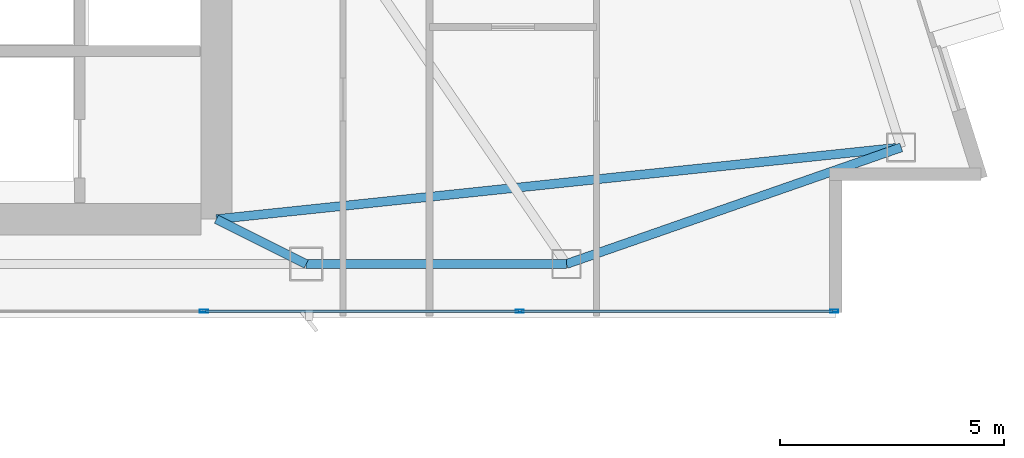
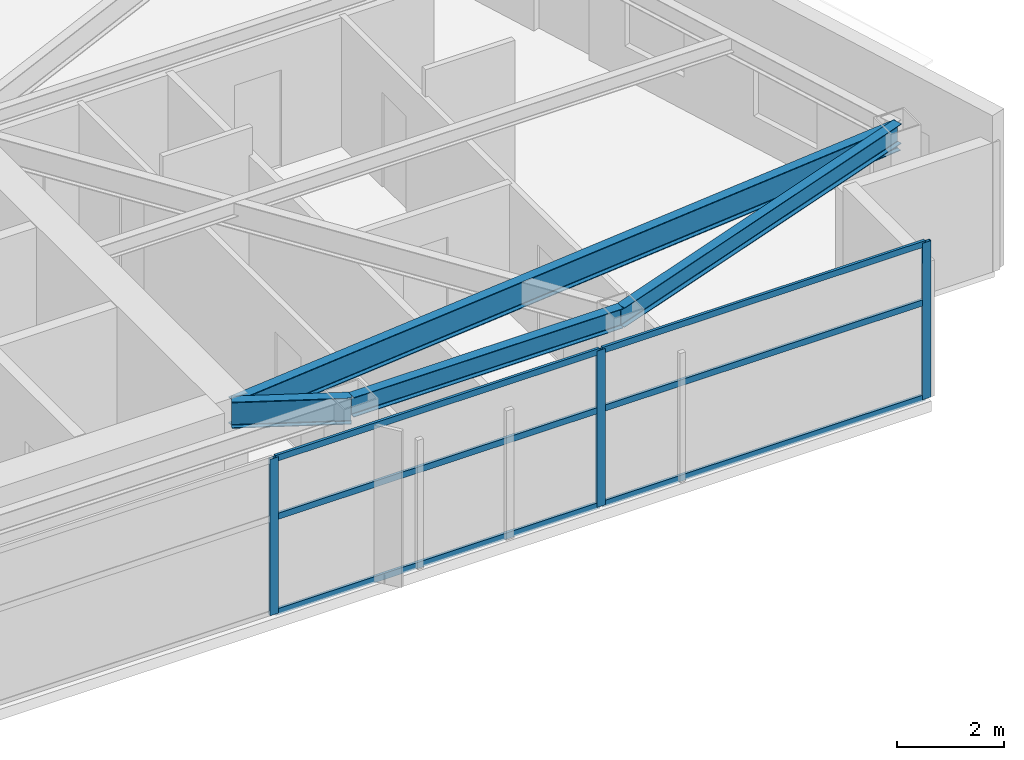
# One storey, part 13 of 27: 9 members, 4 beams, 1 element without a shape of its own.
"""IFC4 building model written with IfcOpenShell, lengths in metres."""

from ifc_helpers import new_model, si_unit, direction, frame, origin, origin_2d, place, context, subcontext, project, spatial, hollow_rectangle, i_section, extrude, material, layer, layer_set, material_profile, profile_set, type_object, element, aggregate, save


model = new_model("IFC4")

# Units and contexts
model_context = context("Model", 3, precision=1e-05, world=origin(), true_north=direction((0.0, 1.0)))
body_context = subcontext(model_context, "Body", "Model", "MODEL_VIEW")
ifc_project = project(units=[si_unit("LENGTHUNIT", "METRE"), si_unit("AREAUNIT", "SQUARE_METRE"), si_unit("VOLUMEUNIT", "CUBIC_METRE"), si_unit("PLANEANGLEUNIT", "RADIAN"), si_unit("MASSUNIT", "GRAM", prefix="KILO")], contexts=[model_context])

# Site, building, storey
site_placement = place(None, origin())
site = spatial("IfcSite", under=ifc_project, at=site_placement, CompositionType="ELEMENT")
building_placement = place(site_placement, origin())
building = spatial("IfcBuilding", under=site, at=building_placement, Name="Calvorn Quay Hotel", CompositionType="ELEMENT")
storey_placement = place(building_placement, frame((0.0, 0.0, 226.89990234375)))
storey = spatial("IfcBuildingStorey", under=building, at=storey_placement, Name="L56", CompositionType="ELEMENT", Elevation=226.89990234375)

# Beams
ifc_material_1 = material(Name="Steel Q355B", Category="steel")
ifc_material_profile_1 = material_profile(ifc_material_1, i_section(OverallWidth=0.199951171875, OverallDepth=0.60009765625, WebThickness=0.010986328125, FlangeThickness=0.01708984375, FilletRadius=0.01806640625, at=origin_2d()), Name="HN600x200x11x17")
ifc_profile_set_1 = profile_set([ifc_material_profile_1], Name="Steel Q355B")
beam_type_1 = type_object("IfcBeamType", Name="BM-GIRD-TYP", PredefinedType="BEAM", material=ifc_profile_set_1)
beam_1_placement = place(storey_placement, frame((34.39990234375, 3.60009765625, 3.239990234375), z_axis=(-0.894427191, 0.4472135955, 0.0), x_axis=(-0.4472135955, -0.894427191, 0.0)))
element("IfcBeam", 1, at=beam_1_placement, inside=storey, type_object=beam_type_1, Name="Beam BG-L56-S3", PredefinedType="BEAM", context=body_context, shape_type="SweptSolid", body=[
    extrude(i_section(OverallWidth=0.199951171875, OverallDepth=0.60009765625, WebThickness=0.010986328125, FlangeThickness=0.01708984375, FilletRadius=0.01806640625, at=origin_2d()), origin(), (0.0, 0.0, 1.0), 2.236083984375),
])
beam_2_placement = place(storey_placement, frame((32.39990234375, 4.60009765625, 3.239990234375), z_axis=(0.99454991229, 0.10426155554, 0.0), x_axis=(-0.10426155554, 0.99454991229, 0.0)))
element("IfcBeam", 2, at=beam_2_placement, inside=storey, type_object=beam_type_1, Name="Beam BG-L56-E1", PredefinedType="BEAM", context=body_context, shape_type="SweptSolid", body=[
    extrude(i_section(OverallWidth=0.199951171875, OverallDepth=0.60009765625, WebThickness=0.010986328125, FlangeThickness=0.01708984375, FilletRadius=0.01806640625, at=origin_2d()), origin(), (0.0, 0.0, 1.0), 15.3447265625),
])
ifc_material_2 = material(Name="Steel Q355B", Category="steel")
ifc_material_profile_2 = material_profile(ifc_material_2, i_section(OverallWidth=0.199951171875, OverallDepth=0.449951171875, WebThickness=0.009033203125, FlangeThickness=0.013916015625, FilletRadius=0.01611328125, at=origin_2d()), Name="HN450x200x9x14")
ifc_profile_set_2 = profile_set([ifc_material_profile_2], Name="Steel Q355B")
beam_type_2 = type_object("IfcBeamType", Name="BM-SPANDREL-Z3", PredefinedType="SPANDREL", material=ifc_profile_set_2)
beam_3_placement = place(storey_placement, frame((34.39990234375, 3.60009765625, 3.315185546875), z_axis=(1.0, 0.0, 0.0), x_axis=(0.0, 1.0, 0.0)))
element("IfcBeam", 3, at=beam_3_placement, inside=storey, type_object=beam_type_2, Name="Beam BSP-L56-S4", PredefinedType="SPANDREL", context=body_context, shape_type="SweptSolid", body=[
    extrude(i_section(OverallWidth=0.199951171875, OverallDepth=0.449951171875, WebThickness=0.009033203125, FlangeThickness=0.013916015625, FilletRadius=0.01611328125, at=origin_2d()), origin(), (0.0, 0.0, 1.0), 5.800048828125),
])
beam_4_placement = place(storey_placement, frame((40.199951171875, 3.60009765625, 3.315185546875), z_axis=(0.944310305586, 0.329056297257, 0.0), x_axis=(-0.329056297257, 0.944310305586, 0.0)))
element("IfcBeam", 4, at=beam_4_placement, inside=storey, type_object=beam_type_2, Name="Beam BSP-L56-S5", PredefinedType="SPANDREL", context=body_context, shape_type="SweptSolid", body=[
    extrude(i_section(OverallWidth=0.199951171875, OverallDepth=0.449951171875, WebThickness=0.009033203125, FlangeThickness=0.013916015625, FilletRadius=0.01611328125, at=origin_2d()), origin(), (0.0, 0.0, 1.0), 7.90087890625),
])

# Curtain wall, members
ifc_material_3 = material(Name="Champagne Bronze Anodised Aluminium and Low-E Glass", Category="aluminium")
ifc_layer = layer(ifc_material_3, 0.219970703125)
ifc_layer_set = layer_set([ifc_layer], Name="CW-SYS-Z3")
curtain_wall_type = type_object("IfcCurtainWallType", Name="CW-SYS-Z3", PredefinedType="NOTDEFINED", material=ifc_layer_set)
curtain_wall_placement = place(storey_placement, origin())
curtain_wall = element("IfcCurtainWall", 5, at=curtain_wall_placement, inside=storey, type_object=curtain_wall_type, Name="Tower South Waterfront Curtain Wall (L56)", PredefinedType="NOTDEFINED")
ifc_material_4 = material(Name="Champagne Bronze Anodised Aluminium 6063-T6", Category="aluminium")
ifc_material_profile_3 = material_profile(ifc_material_4, hollow_rectangle(XDim=0.068115234375, YDim=0.18505859375, WallThickness=0.00390625, at=origin_2d()), Name="ALU-M185x68x4")
ifc_profile_set_3 = profile_set([ifc_material_profile_3], Name="Champagne Bronze Anodised Aluminium 6063-T6")
member_type_1 = type_object("IfcMemberType", Name="CW-SYS-Z3-MUL", PredefinedType="MULLION", material=ifc_profile_set_3)
member_1_placement = place(storey_placement, frame((32.1201171875, 2.550048828125, 0.0), z_axis=(0.0, 0.0, 1.0), x_axis=(0.0, 1.0, 0.0)))
member_1 = element("IfcMember", 6, at=member_1_placement, type_object=member_type_1, Name="CW-L56-S mullion 4", PredefinedType="MULLION", context=body_context, shape_type="SweptSolid", body=[
    extrude(hollow_rectangle(XDim=0.068115234375, YDim=0.18505859375, WallThickness=0.00390625, at=origin_2d()), origin(), (0.0, 0.0, 1.0), 3.56005859375),
])
member_2_placement = place(storey_placement, frame((39.159912109375, 2.550048828125, 0.0), z_axis=(0.0, 0.0, 1.0), x_axis=(0.0, 1.0, 0.0)))
member_2 = element("IfcMember", 7, at=member_2_placement, type_object=member_type_1, Name="CW-L56-S mullion 5", PredefinedType="MULLION", context=body_context, shape_type="SweptSolid", body=[
    extrude(hollow_rectangle(XDim=0.068115234375, YDim=0.18505859375, WallThickness=0.00390625, at=origin_2d()), origin(), (0.0, 0.0, 1.0), 3.56005859375),
])
member_3_placement = place(storey_placement, frame((46.169921875, 2.550048828125, 0.0), z_axis=(0.0, 0.0, 1.0), x_axis=(0.0, 1.0, 0.0)))
member_3 = element("IfcMember", 8, at=member_3_placement, type_object=member_type_1, Name="CW-L56-S mullion 6", PredefinedType="MULLION", context=body_context, shape_type="SweptSolid", body=[
    extrude(hollow_rectangle(XDim=0.068115234375, YDim=0.18505859375, WallThickness=0.00390625, at=origin_2d()), origin(), (0.0, 0.0, 1.0), 3.56005859375),
])
ifc_material_5 = material(Name="Champagne Bronze Anodised Aluminium 6063-T6", Category="aluminium")
ifc_material_profile_4 = material_profile(ifc_material_5, hollow_rectangle(XDim=0.05810546875, YDim=0.139892578125, WallThickness=0.003173828125, at=origin_2d()), Name="ALU-T140x58x3.2")
ifc_profile_set_4 = profile_set([ifc_material_profile_4], Name="Champagne Bronze Anodised Aluminium 6063-T6")
member_type_2 = type_object("IfcMemberType", Name="CW-SYS-Z3-TRN", PredefinedType="USERDEFINED", material=ifc_profile_set_4)
member_4_placement = place(storey_placement, frame((32.14990234375, 2.550048828125, 0.030029296875), z_axis=(1.0, 0.0, 0.0), x_axis=(0.0, 1.0, 0.0)))
member_4 = element("IfcMember", 9, at=member_4_placement, type_object=member_type_2, Name="CW-L56-S transom 4.1", ObjectType="TRANSOM", PredefinedType="USERDEFINED", context=body_context, shape_type="SweptSolid", body=[
    extrude(hollow_rectangle(XDim=0.05810546875, YDim=0.139892578125, WallThickness=0.003173828125, at=origin_2d()), origin(), (0.0, 0.0, 1.0), 6.97998046875),
])
member_5_placement = place(storey_placement, frame((32.14990234375, 2.550048828125, 2.2001953125), z_axis=(1.0, 0.0, 0.0), x_axis=(0.0, 1.0, 0.0)))
member_5 = element("IfcMember", 10, at=member_5_placement, type_object=member_type_2, Name="CW-L56-S transom 4.2", ObjectType="TRANSOM", PredefinedType="USERDEFINED", context=body_context, shape_type="SweptSolid", body=[
    extrude(hollow_rectangle(XDim=0.05810546875, YDim=0.139892578125, WallThickness=0.003173828125, at=origin_2d()), origin(), (0.0, 0.0, 1.0), 6.97998046875),
])
member_6_placement = place(storey_placement, frame((32.14990234375, 2.550048828125, 3.530029296875), z_axis=(1.0, 0.0, 0.0), x_axis=(0.0, 1.0, 0.0)))
member_6 = element("IfcMember", 11, at=member_6_placement, type_object=member_type_2, Name="CW-L56-S transom 4.3", ObjectType="TRANSOM", PredefinedType="USERDEFINED", context=body_context, shape_type="SweptSolid", body=[
    extrude(hollow_rectangle(XDim=0.05810546875, YDim=0.139892578125, WallThickness=0.003173828125, at=origin_2d()), origin(), (0.0, 0.0, 1.0), 6.97998046875),
])
member_7_placement = place(storey_placement, frame((39.18994140625, 2.550048828125, 0.030029296875), z_axis=(1.0, 0.0, 0.0), x_axis=(0.0, 1.0, 0.0)))
member_7 = element("IfcMember", 12, at=member_7_placement, type_object=member_type_2, Name="CW-L56-S transom 5.1", ObjectType="TRANSOM", PredefinedType="USERDEFINED", context=body_context, shape_type="SweptSolid", body=[
    extrude(hollow_rectangle(XDim=0.05810546875, YDim=0.139892578125, WallThickness=0.003173828125, at=origin_2d()), origin(), (0.0, 0.0, 1.0), 6.949951171875),
])
member_8_placement = place(storey_placement, frame((39.18994140625, 2.550048828125, 2.2001953125), z_axis=(1.0, 0.0, 0.0), x_axis=(0.0, 1.0, 0.0)))
member_8 = element("IfcMember", 13, at=member_8_placement, type_object=member_type_2, Name="CW-L56-S transom 5.2", ObjectType="TRANSOM", PredefinedType="USERDEFINED", context=body_context, shape_type="SweptSolid", body=[
    extrude(hollow_rectangle(XDim=0.05810546875, YDim=0.139892578125, WallThickness=0.003173828125, at=origin_2d()), origin(), (0.0, 0.0, 1.0), 6.949951171875),
])
member_9_placement = place(storey_placement, frame((39.18994140625, 2.550048828125, 3.530029296875), z_axis=(1.0, 0.0, 0.0), x_axis=(0.0, 1.0, 0.0)))
member_9 = element("IfcMember", 14, at=member_9_placement, type_object=member_type_2, Name="CW-L56-S transom 5.3", ObjectType="TRANSOM", PredefinedType="USERDEFINED", context=body_context, shape_type="SweptSolid", body=[
    extrude(hollow_rectangle(XDim=0.05810546875, YDim=0.139892578125, WallThickness=0.003173828125, at=origin_2d()), origin(), (0.0, 0.0, 1.0), 6.949951171875),
])
aggregate(curtain_wall, [member_1, member_2, member_3, member_4, member_5, member_6, member_7, member_8, member_9])

save(model, "model.ifc")
